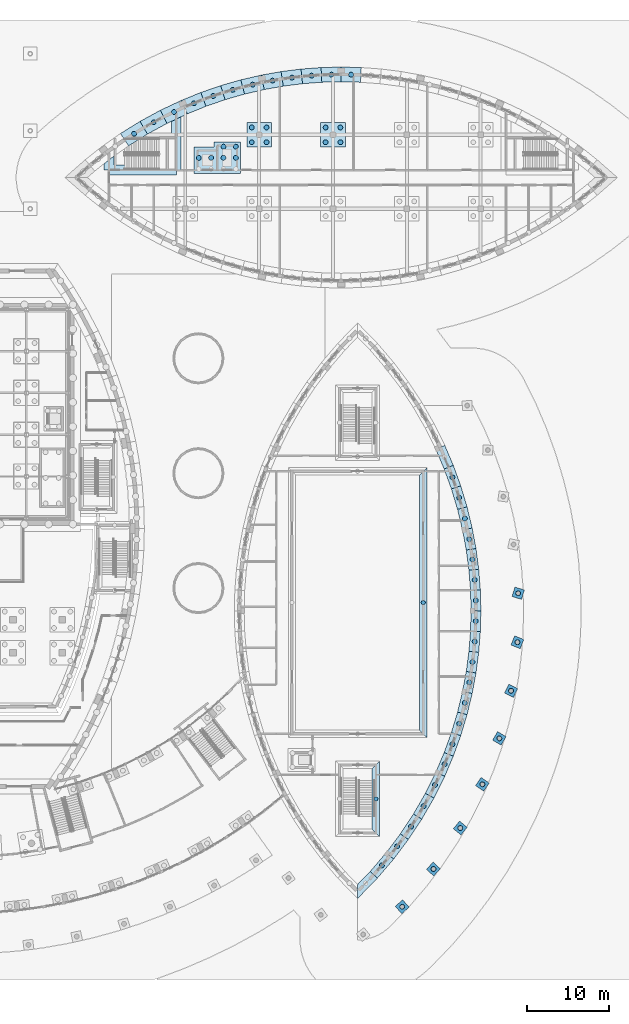
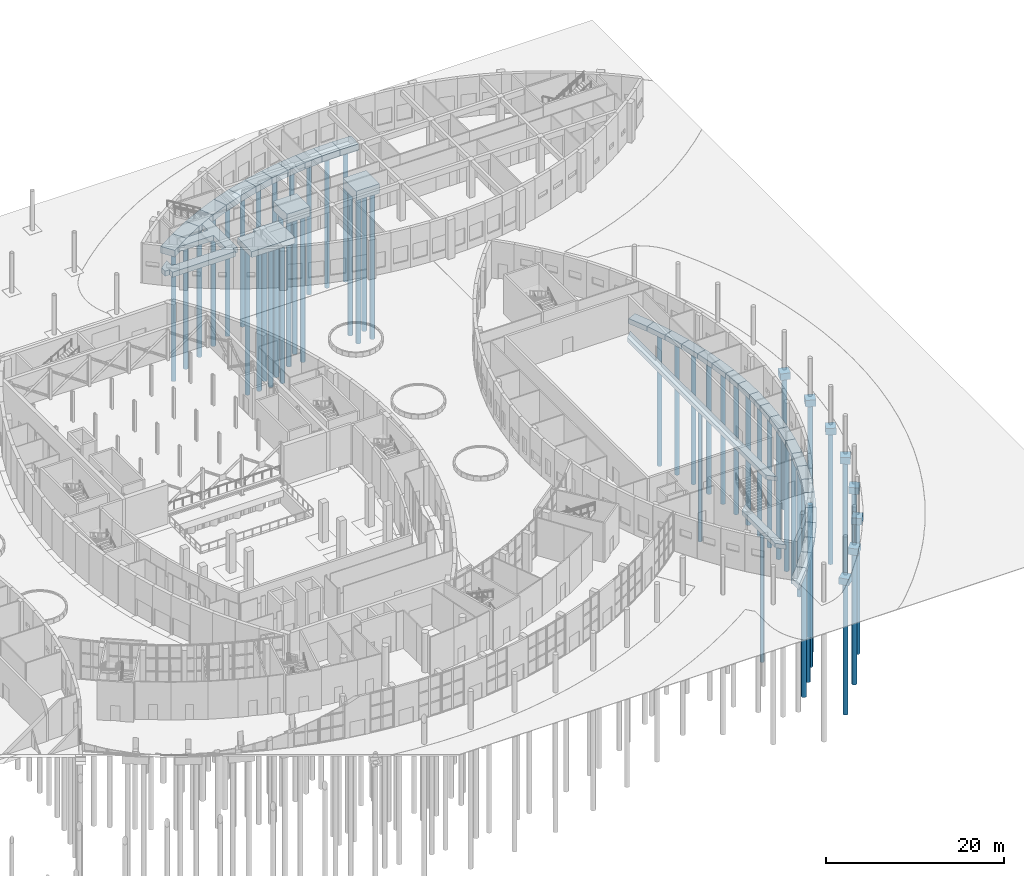
# One storey, part 9 of 82: 56 piles, 48 footings.
"""IFC4 building model written with IfcOpenShell, lengths in metres."""

import ifcopenshell
import ifcopenshell.guid

model = None  # the IFC model being written
_history = None  # IfcOwnerHistory: only IFC2X3 demands one
_inside = {}  # id of a spatial element -> (the spatial element, [elements in it])
_under = {}  # id of a project, library or spatial element -> (it, [spatial elements below it])
_declared = {}  # id of a project -> (the project, [libraries it declares])
_typed = {}  # id of a type object -> (the type object, [elements of that type])
_made_of = {}  # id of a material, layer set ... -> (it, [elements and type objects made of it])


def new_model(schema):
    """Start an empty IFC model of exactly this schema.

    Asked for "IFC4X3", IfcOpenShell would pick the latest addendum, in which some entities
    have other attributes; the version numbers below select the first issue.
    IFC2X3 requires an IfcOwnerHistory on every rooted entity: one is made here for all.
    """
    global model, _history
    if schema == "IFC4X3":
        model = ifcopenshell.file(schema_version=(4, 3, 0, 0))
    else:
        model = ifcopenshell.file(schema=schema)
    _inside.clear()
    _under.clear()
    _declared.clear()
    _typed.clear()
    _made_of.clear()
    _history = None
    if model.schema == "IFC2X3":
        org = make("IfcOrganization", Name="unknown")
        user = make(
            "IfcPersonAndOrganization",
            ThePerson=make("IfcPerson", FamilyName="unknown"),
            TheOrganization=org,
        )
        app = make(
            "IfcApplication",
            ApplicationDeveloper=org,
            Version="unknown",
            ApplicationFullName="unknown",
            ApplicationIdentifier="unknown",
        )
        _history = make(
            "IfcOwnerHistory",
            OwningUser=user,
            OwningApplication=app,
            ChangeAction="ADDED",
            CreationDate=0,
        )
    return model


def make(cls, **values):
    """One entity of the class cls with the attributes given. An attribute that is None is left unset."""
    return model.create_entity(
        cls, **{name: value for name, value in values.items() if value is not None}
    )


def rooted(cls, **values):
    """An entity with a GlobalId (a new one), such as an element, a storey or a relation."""
    return make(cls, GlobalId=ifcopenshell.guid.new(), OwnerHistory=_history, **values)


def si_unit(unit_type, name, prefix=None):
    """IfcSIUnit, for example si_unit("LENGTHUNIT", "METRE", prefix="MILLI")."""
    return make("IfcSIUnit", UnitType=unit_type, Prefix=prefix, Name=name)


def assignment(units):
    """IfcUnitAssignment: the units of a project."""
    return None if units is None else make("IfcUnitAssignment", Units=units)


def point(xyz):
    """IfcCartesianPoint."""
    return None if xyz is None else make("IfcCartesianPoint", Coordinates=xyz)


def direction(xyz):
    """IfcDirection."""
    return None if xyz is None else make("IfcDirection", DirectionRatios=xyz)


def frame(location, z_axis=None, x_axis=None):
    """IfcAxis2Placement3D, a coordinate frame: its origin and axes. An axis left out is left unset."""
    return make(
        "IfcAxis2Placement3D",
        Location=point(location),
        Axis=direction(z_axis),
        RefDirection=direction(x_axis),
    )


def frame_2d(location, x_axis=None):
    """IfcAxis2Placement2D, a coordinate frame in the plane: its origin and x axis."""
    return make(
        "IfcAxis2Placement2D", Location=point(location), RefDirection=direction(x_axis)
    )


def origin():
    """The frame at (0, 0, 0) with its axes left unset."""
    return frame((0.0, 0.0, 0.0))


def origin_2d():
    """The frame at (0, 0) in the plane with its x axis left unset."""
    return frame_2d((0.0, 0.0))


def place(relative_to, where):
    """IfcLocalPlacement: puts the frame where relative to a parent placement (None: the world)."""
    return make(
        "IfcLocalPlacement", PlacementRelTo=relative_to, RelativePlacement=where
    )


def context(
    kind, dimensions, precision=None, world=None, true_north=None, identifier=None
):
    """IfcGeometricRepresentationContext, for example the 3D "Model" context."""
    return make(
        "IfcGeometricRepresentationContext",
        ContextIdentifier=identifier,
        ContextType=kind,
        CoordinateSpaceDimension=dimensions,
        Precision=precision,
        WorldCoordinateSystem=world,
        TrueNorth=true_north,
    )


def subcontext(parent, identifier, kind, view, scale=None):
    """IfcGeometricRepresentationSubContext, for example "Body" below "Model"."""
    return make(
        "IfcGeometricRepresentationSubContext",
        ContextIdentifier=identifier,
        ContextType=kind,
        ParentContext=parent,
        TargetScale=scale,
        TargetView=view,
    )


def project(units=None, contexts=None):
    """IfcProject with its units and contexts."""
    return rooted(
        "IfcProject",
        Name="project",
        RepresentationContexts=contexts,
        UnitsInContext=assignment(units),
    )


def spatial(cls, under=None, at=None, **own):
    """A site, building, storey or space (cls), placed at a placement, below another one or the project."""
    s = rooted(cls, ObjectPlacement=at, **own)
    if under is not None:
        _under.setdefault(under.id(), (under, []))[1].append(s)
    return s


def polyline(points):
    """IfcPolyline through the points."""
    return make("IfcPolyline", Points=[point(p) for p in points])


def profile(cls, at=None, kind="AREA", **sizes):
    """A parametric profile (cls). Its sizes go by their IFC names, for example OverallWidth=200.0."""
    return make(cls, ProfileType=kind, Position=at, **sizes)


def rectangle(**sizes):
    """IfcRectangleProfileDef."""
    return profile("IfcRectangleProfileDef", **sizes)


def circle(**sizes):
    """IfcCircleProfileDef."""
    return profile("IfcCircleProfileDef", **sizes)


def outline(outer, holes=None, kind="AREA"):
    """IfcArbitraryClosedProfileDef: a profile drawn as a closed curve; with holes, ...WithVoids."""
    if holes is None:
        return make("IfcArbitraryClosedProfileDef", ProfileType=kind, OuterCurve=outer)
    return make(
        "IfcArbitraryProfileDefWithVoids",
        ProfileType=kind,
        OuterCurve=outer,
        InnerCurves=holes,
    )


def extrude(swept, where, along, depth):
    """IfcExtrudedAreaSolid: the profile swept, set in the frame where, extruded along a direction by depth."""
    return make(
        "IfcExtrudedAreaSolid",
        SweptArea=swept,
        Position=where,
        ExtrudedDirection=direction(along),
        Depth=depth,
    )


def shape(context_of_items, identifier, shape_type, items):
    """IfcShapeRepresentation: the items that make up one representation, for example the "Body"."""
    return make(
        "IfcShapeRepresentation",
        ContextOfItems=context_of_items,
        RepresentationIdentifier=identifier,
        RepresentationType=shape_type,
        Items=items,
    )


def material(Name=None, Category=None):
    """IfcMaterial."""
    return make("IfcMaterial", Name=Name, Category=Category)


def material_profile(
    of_material, cross_section, Name=None, Category=None, Priority=None
):
    """IfcMaterialProfile: a cross section and its material."""
    return make(
        "IfcMaterialProfile",
        Name=Name,
        Material=of_material,
        Profile=cross_section,
        Priority=Priority,
        Category=Category,
    )


def profile_set(profiles, Name=None, composite=None):
    """IfcMaterialProfileSet."""
    return make(
        "IfcMaterialProfileSet",
        Name=Name,
        MaterialProfiles=profiles,
        CompositeProfile=composite,
    )


def made_of(thing, what):
    """Note that an element or type object is made of a material, layer set ...; save() writes the relation."""
    if what is not None:
        _made_of.setdefault(what.id(), (what, []))[1].append(thing)
    return thing


def type_object(cls, material=None, **own):
    """A type object (cls), such as IfcWallType, which elements share."""
    return made_of(rooted(cls, **own), material)


def element(
    cls,
    number,
    at=None,
    inside=None,
    cuts=None,
    type_object=None,
    material=None,
    context=None,
    identifier="Body",
    shape_type=None,
    held_by="IfcProductDefinitionShape",
    body=None,
    shapes=None,
    **own,
):
    """One element of the class cls, such as IfcWall. Its Tag is "e" and its number.

    at: its placement. inside: the storey or other place that contains it. cuts: it is an
    opening in that element (IfcRelVoidsElement). A single representation is given by context,
    identifier, shape_type and body (its items); several are given by shapes. held_by: the class
    of the entity that holds the representations. save() writes the other relations.
    """
    e = rooted(cls, Tag="e%d" % number, ObjectPlacement=at, **own)
    if body is not None:
        shapes = [shape(context, identifier, shape_type, body)]
    if shapes is not None:
        e.Representation = make(held_by, Representations=shapes)
    if inside is not None:
        _inside.setdefault(inside.id(), (inside, []))[1].append(e)
    if cuts is not None:
        rooted(
            "IfcRelVoidsElement", RelatingBuildingElement=cuts, RelatedOpeningElement=e
        )
    if type_object is not None:
        _typed.setdefault(type_object.id(), (type_object, []))[1].append(e)
    return made_of(e, material)


def aggregate(whole, parts):
    """IfcRelAggregates: a whole, such as a stair, and the parts it consists of."""
    return rooted("IfcRelAggregates", RelatingObject=whole, RelatedObjects=parts)


def save(model, path):
    """Write the relations noted so far, then the file.

    IfcRelAggregates (storeys below a building ...), IfcRelContainedInSpatialStructure (elements
    in a storey), IfcRelDefinesByType, IfcRelAssociatesMaterial and IfcRelDeclares: one each for
    every whole, place, type object, material and project.
    """
    for whole, parts in _under.values():
        aggregate(whole, parts)
    for where, things in _inside.values():
        rooted(
            "IfcRelContainedInSpatialStructure",
            RelatedElements=things,
            RelatingStructure=where,
        )
    for kind, things in _typed.values():
        rooted("IfcRelDefinesByType", RelatedObjects=things, RelatingType=kind)
    for what, things in _made_of.values():
        rooted("IfcRelAssociatesMaterial", RelatedObjects=things, RelatingMaterial=what)
    for by, libraries in _declared.values():
        rooted("IfcRelDeclares", RelatingContext=by, RelatedDefinitions=libraries)
    model.write(path)


model = new_model("IFC4")

# Units and contexts
model_context = context("Model", 3, precision=1e-05, world=origin(), true_north=direction((0.0, 1.0)))
body_context = subcontext(model_context, "Body", "Model", "MODEL_VIEW")
ifc_project = project(units=[si_unit("LENGTHUNIT", "METRE"), si_unit("AREAUNIT", "SQUARE_METRE"), si_unit("VOLUMEUNIT", "CUBIC_METRE"), si_unit("PLANEANGLEUNIT", "RADIAN"), si_unit("MASSUNIT", "GRAM", prefix="KILO")], contexts=[model_context])

# Site, building, storey
site_placement = place(None, origin())
site = spatial("IfcSite", under=ifc_project, at=site_placement, CompositionType="ELEMENT")
building_placement = place(site_placement, origin())
building = spatial("IfcBuilding", under=site, at=building_placement, Name="Tide Square Theatres", CompositionType="ELEMENT")
storey_placement = place(building_placement, origin())
storey = spatial("IfcBuildingStorey", under=building, at=storey_placement, Name="L00", CompositionType="ELEMENT", Elevation=0.0)

# Piles
ifc_material_1 = material(Name="Concrete C30", Category="concrete")
ifc_material_profile_1 = material_profile(ifc_material_1, circle(Radius=0.25, at=origin_2d()))
ifc_profile_set_1 = profile_set([ifc_material_profile_1], Name="Concrete C30")
pile_type_1 = type_object("IfcPileType", Name="Bored pile D500", PredefinedType="BORED", material=ifc_profile_set_1)
for number, where, z_axis, x_axis, name in (
    (1, (140.0, 46.0, -0.699951171875), (0.0, 0.0, -1.0), (1.0, 0.0, 0.0), "Bored pile 060"),
    (2, (134.22509765625, 22.074951171875, -0.699951171875), (0.0, 0.0, -1.0), (1.0, 0.0, 0.0), "Bored pile 067"),
):
    element("IfcPile", number, at=place(storey_placement, frame(where, z_axis=z_axis, x_axis=x_axis)), inside=storey, type_object=pile_type_1, Name=name, PredefinedType="BORED", context=body_context, shape_type="SweptSolid", body=[
        extrude(circle(Radius=0.25, at=origin_2d()), origin(), (0.0, 0.0, 1.0), 18.14990234375),
    ])
ifc_material_2 = material(Name="Concrete C30", Category="concrete")
ifc_material_profile_2 = material_profile(ifc_material_2, circle(Radius=0.300048828125, at=origin_2d()))
ifc_profile_set_2 = profile_set([ifc_material_profile_2], Name="Concrete C30")
pile_type_2 = type_object("IfcPileType", Name="Bored pile D600", PredefinedType="BORED", material=ifc_profile_set_2)
for number, where, z_axis, x_axis, name in (
    (3, (137.438720703125, 8.92529296875, -1.0), (0.0, 0.0, -1.0), (1.0, 0.0, 0.0), "Foyer bored pile"),
    (4, (141.24365234375, 13.525634765625, -1.0), (0.0, 0.0, -1.0), (1.0, 0.0, 0.0), "Foyer bored pile"),
    (5, (144.512451171875, 18.520751953125, -1.0), (0.0, 0.0, -1.0), (1.0, 0.0, 0.0), "Foyer bored pile"),
    (6, (147.205810546875, 23.848388671875, -1.0), (0.0, 0.0, -1.0), (1.0, 0.0, 0.0), "Foyer bored pile"),
    (7, (149.27587890625, 29.447998046875, -1.0), (0.0, 0.0, -1.0), (1.0, 0.0, 0.0), "Foyer bored pile"),
    (8, (150.704833984375, 35.24462890625, -1.0), (0.0, 0.0, -1.0), (1.0, 0.0, 0.0), "Foyer bored pile"),
    (9, (151.47265625, 41.1650390625, -1.0), (0.0, 0.0, -1.0), (1.0, 0.0, 0.0), "Foyer bored pile"),
    (10, (151.57275390625, 47.134521484375, -1.0), (0.0, 0.0, -1.0), (1.0, 0.0, 0.0), "Foyer bored pile"),
    (11, (134.95654296875, 13.972412109375, -0.800048828125), (0.0, 0.0, -1.0), (1.0, 0.0, 0.0), "Bored pile 002"),
    (12, (136.821533203125, 16.296875, -0.800048828125), (0.0, 0.0, -1.0), (1.0, 0.0, 0.0), "Bored pile 003"),
    (13, (138.50927734375, 18.692138671875, -0.800048828125), (0.0, 0.0, -1.0), (1.0, 0.0, 0.0), "Bored pile 004"),
    (14, (140.046875, 21.186279296875, -0.800048828125), (0.0, 0.0, -1.0), (1.0, 0.0, 0.0), "Bored pile 005"),
    (15, (141.4287109375, 23.7705078125, -0.800048828125), (0.0, 0.0, -1.0), (1.0, 0.0, 0.0), "Bored pile 006"),
    (16, (142.594482421875, 26.29248046875, -0.800048828125), (0.0, 0.0, -1.0), (1.0, 0.0, 0.0), "Bored pile 007"),
    (17, (143.555908203125, 28.736572265625, -0.800048828125), (0.0, 0.0, -1.0), (1.0, 0.0, 0.0), "Bored pile 008"),
    (18, (144.3818359375, 31.229736328125, -0.800048828125), (0.0, 0.0, -1.0), (1.0, 0.0, 0.0), "Bored pile 009"),
    (19, (145.0693359375, 33.764892578125, -0.800048828125), (0.0, 0.0, -1.0), (1.0, 0.0, 0.0), "Bored pile 010"),
    (20, (145.607177734375, 36.2744140625, -0.800048828125), (0.0, 0.0, -1.0), (1.0, 0.0, 0.0), "Bored pile 011"),
    (21, (146.0, 38.750244140625, -0.800048828125), (0.0, 0.0, -1.0), (1.0, 0.0, 0.0), "Bored pile 012"),
    (22, (146.2626953125, 41.243408203125, -0.800048828125), (0.0, 0.0, -1.0), (1.0, 0.0, 0.0), "Bored pile 013"),
    (23, (146.39404296875, 43.74658203125, -0.800048828125), (0.0, 0.0, -1.0), (1.0, 0.0, 0.0), "Bored pile 014"),
    (24, (146.39404296875, 46.25341796875, -0.800048828125), (0.0, 0.0, -1.0), (1.0, 0.0, 0.0), "Bored pile 015"),
    (25, (146.2626953125, 48.756591796875, -0.800048828125), (0.0, 0.0, -1.0), (1.0, 0.0, 0.0), "Bored pile 016"),
    (26, (146.0, 51.249755859375, -0.800048828125), (0.0, 0.0, -1.0), (1.0, 0.0, 0.0), "Bored pile 017"),
    (27, (145.607177734375, 53.7255859375, -0.800048828125), (0.0, 0.0, -1.0), (1.0, 0.0, 0.0), "Bored pile 018"),
    (28, (145.0693359375, 56.235107421875, -0.800048828125), (0.0, 0.0, -1.0), (1.0, 0.0, 0.0), "Bored pile 019"),
    (29, (144.3818359375, 58.770263671875, -0.800048828125), (0.0, 0.0, -1.0), (1.0, 0.0, 0.0), "Bored pile 020"),
    (30, (143.555908203125, 61.263427734375, -0.800048828125), (0.0, 0.0, -1.0), (1.0, 0.0, 0.0), "Bored pile 021"),
    (31, (131.20263671875, 110.33837890625, -1.0), (0.0, 0.0, -1.0), (1.0, 0.0, 0.0), "Rehearsal Block wall pile 42"),
    (32, (128.79736328125, 110.33837890625, -1.0), (0.0, 0.0, -1.0), (1.0, 0.0, 0.0), "Rehearsal Block wall pile 43"),
    (33, (126.395263671875, 110.21728515625, -1.0), (0.0, 0.0, -1.0), (1.0, 0.0, 0.0), "Rehearsal Block wall pile 44"),
    (34, (124.002197265625, 109.9755859375, -1.0), (0.0, 0.0, -1.0), (1.0, 0.0, 0.0), "Rehearsal Block wall pile 45"),
    (35, (121.62451171875, 109.61376953125, -1.0), (0.0, 0.0, -1.0), (1.0, 0.0, 0.0), "Rehearsal Block wall pile 46"),
    (36, (119.216796875, 109.11962890625, -1.0), (0.0, 0.0, -1.0), (1.0, 0.0, 0.0), "Rehearsal Block wall pile 47"),
    (37, (116.787109375, 108.489013671875, -1.0), (0.0, 0.0, -1.0), (1.0, 0.0, 0.0), "Rehearsal Block wall pile 48"),
    (38, (114.393798828125, 107.73193359375, -1.0), (0.0, 0.0, -1.0), (1.0, 0.0, 0.0), "Rehearsal Block wall pile 49"),
    (39, (112.043701171875, 106.85009765625, -1.0), (0.0, 0.0, -1.0), (1.0, 0.0, 0.0), "Rehearsal Block wall pile 50"),
    (40, (109.62646484375, 105.787109375, -1.0), (0.0, 0.0, -1.0), (1.0, 0.0, 0.0), "Rehearsal Block wall pile 51"),
    (41, (107.155517578125, 104.533447265625, -1.0), (0.0, 0.0, -1.0), (1.0, 0.0, 0.0), "Rehearsal Block wall pile 52"),
    (42, (104.761474609375, 103.138916015625, -1.0), (0.0, 0.0, -1.0), (1.0, 0.0, 0.0), "Rehearsal Block wall pile 53"),
):
    element("IfcPile", number, at=place(storey_placement, frame(where, z_axis=z_axis, x_axis=x_axis)), inside=storey, type_object=pile_type_2, Name=name, PredefinedType="BORED", context=body_context, shape_type="SweptSolid", body=[
        extrude(circle(Radius=0.300048828125, at=origin_2d()), origin(), (0.0, 0.0, 1.0), 18.14990234375),
    ])
for number, where, z_axis, x_axis, name in (
    (43, (119.10009765625, 102.10009765625, -1.39990234375), (0.0, 0.0, -1.0), (1.0, 0.0, 0.0), "Rehearsal Block column pile 3.1"),
    (44, (120.89990234375, 102.10009765625, -1.39990234375), (0.0, 0.0, -1.0), (1.0, 0.0, 0.0), "Rehearsal Block column pile 3.2"),
    (45, (120.89990234375, 103.89990234375, -1.39990234375), (0.0, 0.0, -1.0), (1.0, 0.0, 0.0), "Rehearsal Block column pile 3.3"),
    (46, (119.10009765625, 103.89990234375, -1.39990234375), (0.0, 0.0, -1.0), (1.0, 0.0, 0.0), "Rehearsal Block column pile 3.4"),
    (47, (128.10009765625, 102.10009765625, -1.39990234375), (0.0, 0.0, -1.0), (1.0, 0.0, 0.0), "Rehearsal Block column pile 5.1"),
    (48, (129.89990234375, 102.10009765625, -1.39990234375), (0.0, 0.0, -1.0), (1.0, 0.0, 0.0), "Rehearsal Block column pile 5.2"),
    (49, (129.89990234375, 103.89990234375, -1.39990234375), (0.0, 0.0, -1.0), (1.0, 0.0, 0.0), "Rehearsal Block column pile 5.3"),
    (50, (128.10009765625, 103.89990234375, -1.39990234375), (0.0, 0.0, -1.0), (1.0, 0.0, 0.0), "Rehearsal Block column pile 5.4"),
    (51, (112.639892578125, 100.199951171875, -1.85009765625), (0.0, 0.0, -1.0), (1.0, 0.0, 0.0), "Rehearsal Block lift pit pile 1.2"),
    (52, (114.146728515625, 100.199951171875, -1.85009765625), (0.0, 0.0, -1.0), (1.0, 0.0, 0.0), "Rehearsal Block lift pit pile 1.4"),
    (53, (115.6533203125, 100.199951171875, -1.85009765625), (0.0, 0.0, -1.0), (1.0, 0.0, 0.0), "Rehearsal Block lift pit pile 1.6"),
    (54, (115.6533203125, 101.56005859375, -1.85009765625), (0.0, 0.0, -1.0), (1.0, 0.0, 0.0), "Rehearsal Block lift pit pile 1.7"),
    (55, (117.159912109375, 100.199951171875, -1.85009765625), (0.0, 0.0, -1.0), (1.0, 0.0, 0.0), "Rehearsal Block lift pit pile 1.9"),
    (56, (117.159912109375, 101.56005859375, -1.85009765625), (0.0, 0.0, -1.0), (1.0, 0.0, 0.0), "Rehearsal Block lift pit pile 1.10"),
):
    element("IfcPile", number, at=place(storey_placement, frame(where, z_axis=z_axis, x_axis=x_axis)), inside=storey, type_object=pile_type_2, Name=name, PredefinedType="BORED", context=body_context, shape_type="SweptSolid", body=[
        extrude(circle(Radius=0.300048828125, at=origin_2d()), origin(), (0.0, 0.0, 1.0), 20.14990234375),
    ])

# Footings
ifc_material_3 = material(Name="Concrete C35", Category="concrete")
footing_type_1 = type_object("IfcFootingType", Name="Pile cap 1 piles D600", PredefinedType="PILE_CAP", material=ifc_material_3)
for number, where, z_axis, x_axis, name in (
    (57, (137.438720703125, 8.92529296875, -1.14990234375), (0.0, 0.0, 1.0), (0.741597775888, 0.670844794865, 0.0), "Foyer pile cap"),
    (58, (141.24365234375, 13.525634765625, -1.14990234375), (0.0, 0.0, 1.0), (0.68936671806, 0.724412539946, 0.0), "Foyer pile cap"),
    (59, (144.512451171875, 18.520751953125, -1.14990234375), (0.0, 0.0, 1.0), (0.632999925047, 0.774151855187, 0.0), "Foyer pile cap"),
    (60, (147.205810546875, 23.848388671875, -1.14990234375), (0.0, 0.0, 1.0), (0.572656784666, 0.819795222587, 0.0), "Foyer pile cap"),
    (61, (149.27587890625, 29.447998046875, -1.14990234375), (0.0, 0.0, 1.0), (0.508532054357, 0.861043059139, 0.0), "Foyer pile cap"),
    (62, (150.704833984375, 35.24462890625, -1.14990234375), (0.0, 0.0, 1.0), (0.440775945589, 0.897617159924, 0.0), "Foyer pile cap"),
    (63, (151.47265625, 41.1650390625, -1.14990234375), (0.0, 0.0, 1.0), (0.369560260968, 0.929206765749, 0.0), "Foyer pile cap"),
    (64, (151.57275390625, 47.134521484375, -1.14990234375), (0.0, 0.0, 1.0), (0.295039400293, 0.955485087416, 0.0), "Foyer pile cap"),
):
    element("IfcFooting", number, at=place(storey_placement, frame(where, z_axis=z_axis, x_axis=x_axis)), inside=storey, type_object=footing_type_1, Name=name, PredefinedType="PILE_CAP", context=body_context, shape_type="SweptSolid", body=[
        extrude(rectangle(XDim=1.199951171875, YDim=1.199951171875, at=origin_2d()), origin(), (0.0, 0.0, 1.0), 0.89990234375),
    ])
ifc_material_4 = material(Name="Concrete C35", Category="concrete")
footing_type_2 = type_object("IfcFootingType", Name="Pile cap 4 piles D600", PredefinedType="PILE_CAP", material=ifc_material_4)
footing_1_placement = place(storey_placement, frame((0.0, 0.0, -1.550048828125)))
element("IfcFooting", 65, at=footing_1_placement, inside=storey, type_object=footing_type_2, Name="Rehearsal Block pile cap 3", PredefinedType="PILE_CAP", context=body_context, shape_type="SweptSolid", body=[
    extrude(outline(polyline([(118.5, 101.5), (121.5, 101.5), (121.5, 104.5), (118.5, 104.5), (118.5, 101.5)])), origin(), (0.0, 0.0, 1.0), 1.300048828125),
])
footing_2_placement = place(storey_placement, frame((0.0, 0.0, -1.550048828125)))
element("IfcFooting", 66, at=footing_2_placement, inside=storey, type_object=footing_type_2, Name="Rehearsal Block pile cap 5", PredefinedType="PILE_CAP", context=body_context, shape_type="SweptSolid", body=[
    extrude(outline(polyline([(127.5, 101.5), (130.5, 101.5), (130.5, 104.5), (127.5, 104.5), (127.5, 101.5)])), origin(), (0.0, 0.0, 1.0), 1.300048828125),
])
footing_3_placement = place(storey_placement, frame((0.0, 0.0, -2.0)))
element("IfcFooting", 67, at=footing_3_placement, inside=storey, type_object=footing_type_2, Name="Rehearsal Block lift pit slab 1", PredefinedType="PILE_CAP", context=body_context, shape_type="SweptSolid", body=[
    extrude(outline(polyline([(117.7099609375, 98.2900390625), (117.7099609375, 102.110107421875), (114.489990234375, 102.110107421875), (114.489990234375, 101.510009765625), (112.090087890625, 101.510009765625), (112.090087890625, 98.2900390625), (117.7099609375, 98.2900390625)])), origin(), (0.0, 0.0, 1.0), 0.800048828125),
])
ifc_material_5 = material(Name="Concrete C35", Category="concrete")
footing_type_3 = type_object("IfcFootingType", Name="Strip footing 1200 x 700", PredefinedType="STRIP_FOOTING", material=ifc_material_5)
footing_4_placement = place(storey_placement, frame((0.0, 0.0, -0.949951171875)))
element("IfcFooting", 68, at=footing_4_placement, inside=storey, type_object=footing_type_3, Name="Black Box Theatre wall strip footing 001", PredefinedType="STRIP_FOOTING", context=body_context, shape_type="SweptSolid", body=[
    extrude(outline(polyline([(132.0, 9.925537109375), (134.416015625, 12.41552734375), (133.528076171875, 13.223876953125), (132.0, 11.64892578125), (132.0, 9.925537109375)])), origin(), (0.0, 0.0, 1.0), 0.699951171875),
])
footing_5_placement = place(storey_placement, frame((0.0, 0.0, -0.949951171875)))
element("IfcFooting", 69, at=footing_5_placement, inside=storey, type_object=footing_type_3, Name="Black Box Theatre wall strip footing 002", PredefinedType="STRIP_FOOTING", context=body_context, shape_type="SweptSolid", body=[
    extrude(outline(polyline([(134.416015625, 12.41552734375), (136.409423828125, 14.749755859375), (135.47265625, 15.50048828125), (133.528076171875, 13.223876953125), (134.416015625, 12.41552734375)])), origin(), (0.0, 0.0, 1.0), 0.699951171875),
])
footing_6_placement = place(storey_placement, frame((0.0, 0.0, -0.949951171875)))
element("IfcFooting", 70, at=footing_6_placement, inside=storey, type_object=footing_type_3, Name="Black Box Theatre wall strip footing 003", PredefinedType="STRIP_FOOTING", context=body_context, shape_type="SweptSolid", body=[
    extrude(outline(polyline([(136.409423828125, 14.749755859375), (138.19287109375, 17.122802734375), (137.21142578125, 17.814208984375), (135.47265625, 15.50048828125), (136.409423828125, 14.749755859375)])), origin(), (0.0, 0.0, 1.0), 0.699951171875),
])
footing_7_placement = place(storey_placement, frame((0.0, 0.0, -0.949951171875)))
element("IfcFooting", 71, at=footing_7_placement, inside=storey, type_object=footing_type_3, Name="Black Box Theatre wall strip footing 004", PredefinedType="STRIP_FOOTING", context=body_context, shape_type="SweptSolid", body=[
    extrude(outline(polyline([(138.19287109375, 17.122802734375), (139.827392578125, 19.6005859375), (138.805419921875, 20.230712890625), (137.21142578125, 17.814208984375), (138.19287109375, 17.122802734375)])), origin(), (0.0, 0.0, 1.0), 0.699951171875),
])
footing_8_placement = place(storey_placement, frame((0.0, 0.0, -0.949951171875)))
element("IfcFooting", 72, at=footing_8_placement, inside=storey, type_object=footing_type_3, Name="Black Box Theatre wall strip footing 005", PredefinedType="STRIP_FOOTING", context=body_context, shape_type="SweptSolid", body=[
    extrude(outline(polyline([(139.827392578125, 19.6005859375), (141.306884765625, 22.174072265625), (140.248046875, 22.740234375), (138.805419921875, 20.230712890625), (139.827392578125, 19.6005859375)])), origin(), (0.0, 0.0, 1.0), 0.699951171875),
])
footing_9_placement = place(storey_placement, frame((0.0, 0.0, -0.949951171875)))
element("IfcFooting", 73, at=footing_9_placement, inside=storey, type_object=footing_type_3, Name="Black Box Theatre wall strip footing 006", PredefinedType="STRIP_FOOTING", context=body_context, shape_type="SweptSolid", body=[
    extrude(outline(polyline([(141.306884765625, 22.174072265625), (142.62548828125, 24.832763671875), (141.534912109375, 25.334716796875), (140.248046875, 22.740234375), (141.306884765625, 22.174072265625)])), origin(), (0.0, 0.0, 1.0), 0.699951171875),
])
footing_10_placement = place(storey_placement, frame((0.0, 0.0, -0.949951171875)))
element("IfcFooting", 74, at=footing_10_placement, inside=storey, type_object=footing_type_3, Name="Black Box Theatre wall strip footing 007", PredefinedType="STRIP_FOOTING", context=body_context, shape_type="SweptSolid", body=[
    extrude(outline(polyline([(142.62548828125, 24.832763671875), (143.66748046875, 27.281494140625), (142.55029296875, 27.720947265625), (141.534912109375, 25.334716796875), (142.62548828125, 24.832763671875)])), origin(), (0.0, 0.0, 1.0), 0.699951171875),
])
footing_11_placement = place(storey_placement, frame((0.0, 0.0, -0.949951171875)))
element("IfcFooting", 75, at=footing_11_placement, inside=storey, type_object=footing_type_3, Name="Black Box Theatre wall strip footing 008", PredefinedType="STRIP_FOOTING", context=body_context, shape_type="SweptSolid", body=[
    extrude(outline(polyline([(143.66748046875, 27.281494140625), (144.572998046875, 29.783203125), (143.433349609375, 30.160400390625), (142.55029296875, 27.720947265625), (143.66748046875, 27.281494140625)])), origin(), (0.0, 0.0, 1.0), 0.699951171875),
])
footing_12_placement = place(storey_placement, frame((0.0, 0.0, -0.949951171875)))
element("IfcFooting", 76, at=footing_12_placement, inside=storey, type_object=footing_type_3, Name="Black Box Theatre wall strip footing 009", PredefinedType="STRIP_FOOTING", context=body_context, shape_type="SweptSolid", body=[
    extrude(outline(polyline([(144.572998046875, 29.783203125), (145.339599609375, 32.330810546875), (144.18115234375, 32.64501953125), (143.433349609375, 30.160400390625), (144.572998046875, 29.783203125)])), origin(), (0.0, 0.0, 1.0), 0.699951171875),
])
footing_13_placement = place(storey_placement, frame((0.0, 0.0, -0.949951171875)))
element("IfcFooting", 77, at=footing_13_placement, inside=storey, type_object=footing_type_3, Name="Black Box Theatre wall strip footing 010", PredefinedType="STRIP_FOOTING", context=body_context, shape_type="SweptSolid", body=[
    extrude(outline(polyline([(145.339599609375, 32.330810546875), (145.965087890625, 34.91650390625), (144.791259765625, 35.167236328125), (144.18115234375, 32.64501953125), (145.339599609375, 32.330810546875)])), origin(), (0.0, 0.0, 1.0), 0.699951171875),
])
footing_14_placement = place(storey_placement, frame((0.0, 0.0, -0.949951171875)))
element("IfcFooting", 78, at=footing_14_placement, inside=storey, type_object=footing_type_3, Name="Black Box Theatre wall strip footing 011", PredefinedType="STRIP_FOOTING", context=body_context, shape_type="SweptSolid", body=[
    extrude(outline(polyline([(145.965087890625, 34.91650390625), (146.428955078125, 37.4130859375), (145.243408203125, 37.601318359375), (144.791259765625, 35.167236328125), (145.965087890625, 34.91650390625)])), origin(), (0.0, 0.0, 1.0), 0.699951171875),
])
footing_15_placement = place(storey_placement, frame((0.0, 0.0, -0.949951171875)))
element("IfcFooting", 79, at=footing_15_placement, inside=storey, type_object=footing_type_3, Name="Black Box Theatre wall strip footing 012", PredefinedType="STRIP_FOOTING", context=body_context, shape_type="SweptSolid", body=[
    extrude(outline(polyline([(146.428955078125, 37.4130859375), (146.760986328125, 39.930419921875), (145.567138671875, 40.05615234375), (145.243408203125, 37.601318359375), (146.428955078125, 37.4130859375)])), origin(), (0.0, 0.0, 1.0), 0.699951171875),
])
footing_16_placement = place(storey_placement, frame((0.0, 0.0, -0.949951171875)))
element("IfcFooting", 80, at=footing_16_placement, inside=storey, type_object=footing_type_3, Name="Black Box Theatre wall strip footing 013", PredefinedType="STRIP_FOOTING", context=body_context, shape_type="SweptSolid", body=[
    extrude(outline(polyline([(146.760986328125, 39.930419921875), (146.960693359375, 42.461669921875), (145.761962890625, 42.524658203125), (145.567138671875, 40.05615234375), (146.760986328125, 39.930419921875)])), origin(), (0.0, 0.0, 1.0), 0.699951171875),
])
footing_17_placement = place(storey_placement, frame((0.0, 0.0, -0.949951171875)))
element("IfcFooting", 81, at=footing_17_placement, inside=storey, type_object=footing_type_3, Name="Black Box Theatre wall strip footing 014", PredefinedType="STRIP_FOOTING", context=body_context, shape_type="SweptSolid", body=[
    extrude(outline(polyline([(146.960693359375, 42.461669921875), (147.027099609375, 45.0), (145.826904296875, 45.0), (145.761962890625, 42.524658203125), (146.960693359375, 42.461669921875)])), origin(), (0.0, 0.0, 1.0), 0.699951171875),
])
footing_18_placement = place(storey_placement, frame((0.0, 0.0, -0.949951171875)))
element("IfcFooting", 82, at=footing_18_placement, inside=storey, type_object=footing_type_3, Name="Black Box Theatre wall strip footing 015", PredefinedType="STRIP_FOOTING", context=body_context, shape_type="SweptSolid", body=[
    extrude(outline(polyline([(147.027099609375, 45.0), (146.960693359375, 47.538330078125), (145.761962890625, 47.475341796875), (145.826904296875, 45.0), (147.027099609375, 45.0)])), origin(), (0.0, 0.0, 1.0), 0.699951171875),
])
footing_19_placement = place(storey_placement, frame((0.0, 0.0, -0.949951171875)))
element("IfcFooting", 83, at=footing_19_placement, inside=storey, type_object=footing_type_3, Name="Black Box Theatre wall strip footing 016", PredefinedType="STRIP_FOOTING", context=body_context, shape_type="SweptSolid", body=[
    extrude(outline(polyline([(146.960693359375, 47.538330078125), (146.760986328125, 50.069580078125), (145.567138671875, 49.94384765625), (145.761962890625, 47.475341796875), (146.960693359375, 47.538330078125)])), origin(), (0.0, 0.0, 1.0), 0.699951171875),
])
footing_20_placement = place(storey_placement, frame((0.0, 0.0, -0.949951171875)))
element("IfcFooting", 84, at=footing_20_placement, inside=storey, type_object=footing_type_3, Name="Black Box Theatre wall strip footing 017", PredefinedType="STRIP_FOOTING", context=body_context, shape_type="SweptSolid", body=[
    extrude(outline(polyline([(146.760986328125, 50.069580078125), (146.428955078125, 52.5869140625), (145.243408203125, 52.398681640625), (145.567138671875, 49.94384765625), (146.760986328125, 50.069580078125)])), origin(), (0.0, 0.0, 1.0), 0.699951171875),
])
footing_21_placement = place(storey_placement, frame((0.0, 0.0, -0.949951171875)))
element("IfcFooting", 85, at=footing_21_placement, inside=storey, type_object=footing_type_3, Name="Black Box Theatre wall strip footing 018", PredefinedType="STRIP_FOOTING", context=body_context, shape_type="SweptSolid", body=[
    extrude(outline(polyline([(146.428955078125, 52.5869140625), (145.965087890625, 55.08349609375), (144.791259765625, 54.832763671875), (145.243408203125, 52.398681640625), (146.428955078125, 52.5869140625)])), origin(), (0.0, 0.0, 1.0), 0.699951171875),
])
footing_22_placement = place(storey_placement, frame((0.0, 0.0, -0.949951171875)))
element("IfcFooting", 86, at=footing_22_placement, inside=storey, type_object=footing_type_3, Name="Black Box Theatre wall strip footing 019", PredefinedType="STRIP_FOOTING", context=body_context, shape_type="SweptSolid", body=[
    extrude(outline(polyline([(145.965087890625, 55.08349609375), (145.339599609375, 57.669189453125), (144.18115234375, 57.35498046875), (144.791259765625, 54.832763671875), (145.965087890625, 55.08349609375)])), origin(), (0.0, 0.0, 1.0), 0.699951171875),
])
footing_23_placement = place(storey_placement, frame((0.0, 0.0, -0.949951171875)))
element("IfcFooting", 87, at=footing_23_placement, inside=storey, type_object=footing_type_3, Name="Black Box Theatre wall strip footing 020", PredefinedType="STRIP_FOOTING", context=body_context, shape_type="SweptSolid", body=[
    extrude(outline(polyline([(145.339599609375, 57.669189453125), (144.572998046875, 60.216796875), (143.433349609375, 59.839599609375), (144.18115234375, 57.35498046875), (145.339599609375, 57.669189453125)])), origin(), (0.0, 0.0, 1.0), 0.699951171875),
])
footing_24_placement = place(storey_placement, frame((0.0, 0.0, -0.949951171875)))
element("IfcFooting", 88, at=footing_24_placement, inside=storey, type_object=footing_type_3, Name="Black Box Theatre wall strip footing 021", PredefinedType="STRIP_FOOTING", context=body_context, shape_type="SweptSolid", body=[
    extrude(outline(polyline([(144.572998046875, 60.216796875), (143.66748046875, 62.718505859375), (142.55029296875, 62.279052734375), (143.433349609375, 59.839599609375), (144.572998046875, 60.216796875)])), origin(), (0.0, 0.0, 1.0), 0.699951171875),
])
footing_25_placement = place(storey_placement, frame((0.0, 0.0, -0.949951171875)))
element("IfcFooting", 89, at=footing_25_placement, inside=storey, type_object=footing_type_3, Name="Black Box Theatre wall strip footing 022", PredefinedType="STRIP_FOOTING", context=body_context, shape_type="SweptSolid", body=[
    extrude(outline(polyline([(143.66748046875, 62.718505859375), (142.62548828125, 65.167236328125), (141.534912109375, 64.665283203125), (142.55029296875, 62.279052734375), (143.66748046875, 62.718505859375)])), origin(), (0.0, 0.0, 1.0), 0.699951171875),
])
footing_26_placement = place(storey_placement, frame((0.0, 0.0, -0.949951171875)))
element("IfcFooting", 90, at=footing_26_placement, inside=storey, type_object=footing_type_3, Name="Rehearsal Block core wall footing 1", PredefinedType="STRIP_FOOTING", context=body_context, shape_type="SweptSolid", body=[
    extrude(outline(polyline([(106.3916015625, 103.093017578125), (104.715087890625, 102.050048828125), (109.300048828125, 102.050048828125), (109.300048828125, 99.300048828125), (102.300048828125, 99.300048828125), (102.300048828125, 100.398681640625), (101.85888671875, 100.08740234375), (101.10009765625, 99.487060546875), (101.10009765625, 98.699951171875), (101.699951171875, 98.699951171875), (101.699951171875, 98.10009765625), (109.89990234375, 98.10009765625), (109.89990234375, 98.699951171875), (110.5, 98.699951171875), (110.5, 102.64990234375), (110.5, 105.203857421875), (109.300048828125, 104.63818359375), (109.300048828125, 103.25), (106.68017578125, 103.25), (106.3916015625, 103.093017578125)])), origin(), (0.0, 0.0, 1.0), 0.699951171875),
])
ifc_material_6 = material(Name="Concrete C35", Category="concrete")
footing_type_4 = type_object("IfcFootingType", Name="Strip footing 1800 x 900", PredefinedType="STRIP_FOOTING", material=ifc_material_6)
footing_27_placement = place(storey_placement, frame((0.0, 0.0, -1.14990234375)))
element("IfcFooting", 91, at=footing_27_placement, inside=storey, type_object=footing_type_4, Name="Rehearsal Block strip footing 42", PredefinedType="STRIP_FOOTING", context=body_context, shape_type="SweptSolid", body=[
    extrude(outline(polyline([(132.450439453125, 111.207275390625), (130.0, 111.26904296875), (130.0, 109.468505859375), (132.35986328125, 109.408935546875), (132.450439453125, 111.207275390625)])), origin(), (0.0, 0.0, 1.0), 0.89990234375),
])
footing_28_placement = place(storey_placement, frame((0.0, 0.0, -1.14990234375)))
element("IfcFooting", 92, at=footing_28_placement, inside=storey, type_object=footing_type_4, Name="Rehearsal Block strip footing 43", PredefinedType="STRIP_FOOTING", context=body_context, shape_type="SweptSolid", body=[
    extrude(outline(polyline([(130.0, 111.26904296875), (127.549560546875, 111.207275390625), (127.64013671875, 109.408935546875), (130.0, 109.468505859375), (130.0, 111.26904296875)])), origin(), (0.0, 0.0, 1.0), 0.89990234375),
])
footing_29_placement = place(storey_placement, frame((0.0, 0.0, -1.14990234375)))
element("IfcFooting", 93, at=footing_29_placement, inside=storey, type_object=footing_type_4, Name="Rehearsal Block strip footing 44", PredefinedType="STRIP_FOOTING", context=body_context, shape_type="SweptSolid", body=[
    extrude(outline(polyline([(127.549560546875, 111.207275390625), (125.105224609375, 111.0224609375), (125.2861328125, 109.23095703125), (127.64013671875, 109.408935546875), (127.549560546875, 111.207275390625)])), origin(), (0.0, 0.0, 1.0), 0.89990234375),
])
footing_30_placement = place(storey_placement, frame((0.0, 0.0, -1.14990234375)))
element("IfcFooting", 94, at=footing_30_placement, inside=storey, type_object=footing_type_4, Name="Rehearsal Block strip footing 45", PredefinedType="STRIP_FOOTING", context=body_context, shape_type="SweptSolid", body=[
    extrude(outline(polyline([(125.105224609375, 111.0224609375), (122.67333984375, 110.714599609375), (122.944091796875, 108.9345703125), (125.2861328125, 109.23095703125), (125.105224609375, 111.0224609375)])), origin(), (0.0, 0.0, 1.0), 0.89990234375),
])
footing_31_placement = place(storey_placement, frame((0.0, 0.0, -1.14990234375)))
element("IfcFooting", 95, at=footing_31_placement, inside=storey, type_object=footing_type_4, Name="Rehearsal Block strip footing 46", PredefinedType="STRIP_FOOTING", context=body_context, shape_type="SweptSolid", body=[
    extrude(outline(polyline([(122.67333984375, 110.714599609375), (120.259521484375, 110.284912109375), (120.62060546875, 108.52099609375), (122.944091796875, 108.9345703125), (122.67333984375, 110.714599609375)])), origin(), (0.0, 0.0, 1.0), 0.89990234375),
])
footing_32_placement = place(storey_placement, frame((0.0, 0.0, -1.14990234375)))
element("IfcFooting", 96, at=footing_32_placement, inside=storey, type_object=footing_type_4, Name="Rehearsal Block strip footing 47", PredefinedType="STRIP_FOOTING", context=body_context, shape_type="SweptSolid", body=[
    extrude(outline(polyline([(120.259521484375, 110.284912109375), (117.767578125, 109.707763671875), (118.2197265625, 107.96484375), (120.62060546875, 108.52099609375), (120.259521484375, 110.284912109375)])), origin(), (0.0, 0.0, 1.0), 0.89990234375),
])
footing_33_placement = place(storey_placement, frame((0.0, 0.0, -1.14990234375)))
element("IfcFooting", 97, at=footing_33_placement, inside=storey, type_object=footing_type_4, Name="Rehearsal Block strip footing 48", PredefinedType="STRIP_FOOTING", context=body_context, shape_type="SweptSolid", body=[
    extrude(outline(polyline([(117.767578125, 109.707763671875), (115.308837890625, 109.000244140625), (115.85205078125, 107.283447265625), (118.2197265625, 107.96484375), (117.767578125, 109.707763671875)])), origin(), (0.0, 0.0, 1.0), 0.89990234375),
])
footing_34_placement = place(storey_placement, frame((0.0, 0.0, -1.14990234375)))
element("IfcFooting", 98, at=footing_34_placement, inside=storey, type_object=footing_type_4, Name="Rehearsal Block strip footing 49", PredefinedType="STRIP_FOOTING", context=body_context, shape_type="SweptSolid", body=[
    extrude(outline(polyline([(115.308837890625, 109.000244140625), (112.890869140625, 108.164794921875), (113.5234375, 106.478759765625), (115.85205078125, 107.283447265625), (115.308837890625, 109.000244140625)])), origin(), (0.0, 0.0, 1.0), 0.89990234375),
])
footing_35_placement = place(storey_placement, frame((0.0, 0.0, -1.14990234375)))
element("IfcFooting", 99, at=footing_35_placement, inside=storey, type_object=footing_type_4, Name="Rehearsal Block strip footing 50", PredefinedType="STRIP_FOOTING", context=body_context, shape_type="SweptSolid", body=[
    extrude(outline(polyline([(112.890869140625, 108.164794921875), (110.51904296875, 107.202880859375), (111.241455078125, 105.553466796875), (113.5234375, 106.478759765625), (112.890869140625, 108.164794921875)])), origin(), (0.0, 0.0, 1.0), 0.89990234375),
])
footing_36_placement = place(storey_placement, frame((0.0, 0.0, -1.14990234375)))
element("IfcFooting", 100, at=footing_36_placement, inside=storey, type_object=footing_type_4, Name="Rehearsal Block strip footing 51", PredefinedType="STRIP_FOOTING", context=body_context, shape_type="SweptSolid", body=[
    extrude(outline(polyline([(110.51904296875, 107.202880859375), (107.965576171875, 105.9990234375), (108.7802734375, 104.393310546875), (111.241455078125, 105.553466796875), (110.51904296875, 107.202880859375)])), origin(), (0.0, 0.0, 1.0), 0.89990234375),
])
footing_37_placement = place(storey_placement, frame((0.0, 0.0, -1.14990234375)))
element("IfcFooting", 101, at=footing_37_placement, inside=storey, type_object=footing_type_4, Name="Rehearsal Block strip footing 52", PredefinedType="STRIP_FOOTING", context=body_context, shape_type="SweptSolid", body=[
    extrude(outline(polyline([(107.965576171875, 105.9990234375), (105.485107421875, 104.64892578125), (106.3916015625, 103.093017578125), (108.7802734375, 104.393310546875), (107.965576171875, 105.9990234375)])), origin(), (0.0, 0.0, 1.0), 0.89990234375),
])
footing_38_placement = place(storey_placement, frame((0.0, 0.0, -1.14990234375)))
element("IfcFooting", 102, at=footing_38_placement, inside=storey, type_object=footing_type_4, Name="Rehearsal Block strip footing 53", PredefinedType="STRIP_FOOTING", context=body_context, shape_type="SweptSolid", body=[
    extrude(outline(polyline([(105.485107421875, 104.64892578125), (103.087158203125, 103.1572265625), (104.082275390625, 101.656494140625), (106.3916015625, 103.093017578125), (105.485107421875, 104.64892578125)])), origin(), (0.0, 0.0, 1.0), 0.89990234375),
])
ifc_material_7 = material(Name="Concrete C35", Category="concrete")
footing_type_5 = type_object("IfcFootingType", Name="Strip footing 900 x 600", PredefinedType="STRIP_FOOTING", material=ifc_material_7)
footing_39_placement = place(storey_placement, frame((0.0, 0.0, -0.85009765625)))
element("IfcFooting", 103, at=footing_39_placement, inside=storey, type_object=footing_type_5, Name="Black Box Theatre auditorium strip footing 060", PredefinedType="STRIP_FOOTING", context=body_context, shape_type="SweptSolid", body=[
    extrude(outline(polyline([(140.449951171875, 29.550048828125), (140.449951171875, 62.449951171875), (139.550048828125, 61.550048828125), (139.550048828125, 30.449951171875), (140.449951171875, 29.550048828125)])), origin(), (0.0, 0.0, 1.0), 0.60009765625),
])
footing_40_placement = place(storey_placement, frame((0.0, 0.0, -0.85009765625)))
element("IfcFooting", 104, at=footing_40_placement, inside=storey, type_object=footing_type_5, Name="Black Box Theatre stair shaft strip footing 067", PredefinedType="STRIP_FOOTING", context=body_context, shape_type="SweptSolid", body=[
    extrude(outline(polyline([(134.675048828125, 17.47509765625), (134.675048828125, 26.675048828125), (133.77490234375, 25.77490234375), (133.77490234375, 18.375), (134.675048828125, 17.47509765625)])), origin(), (0.0, 0.0, 1.0), 0.60009765625),
])

save(model, "model.ifc")
